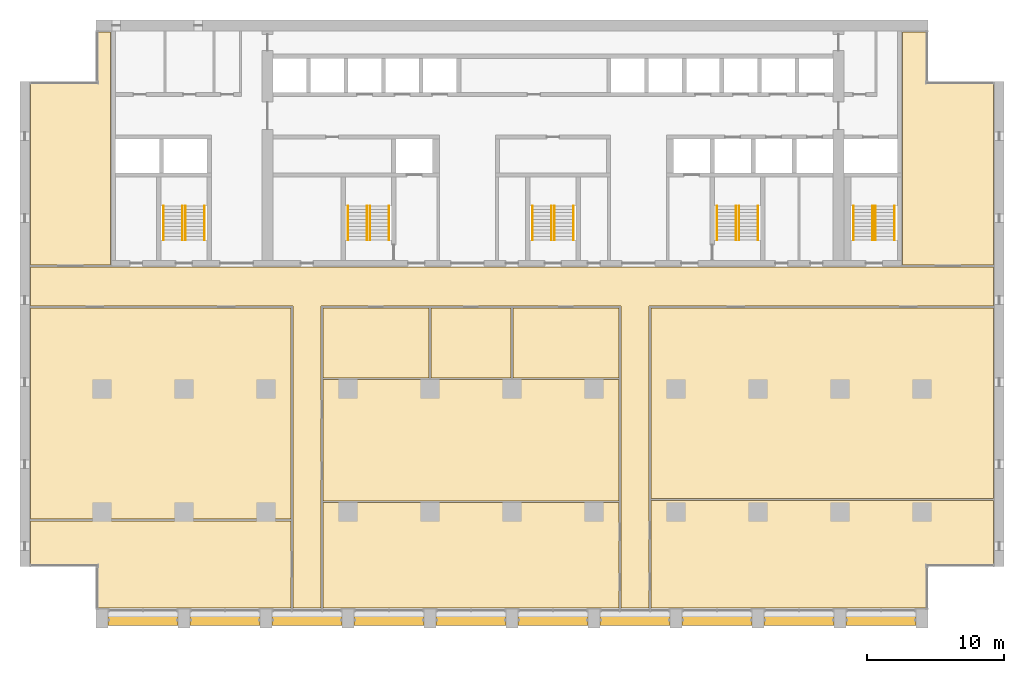
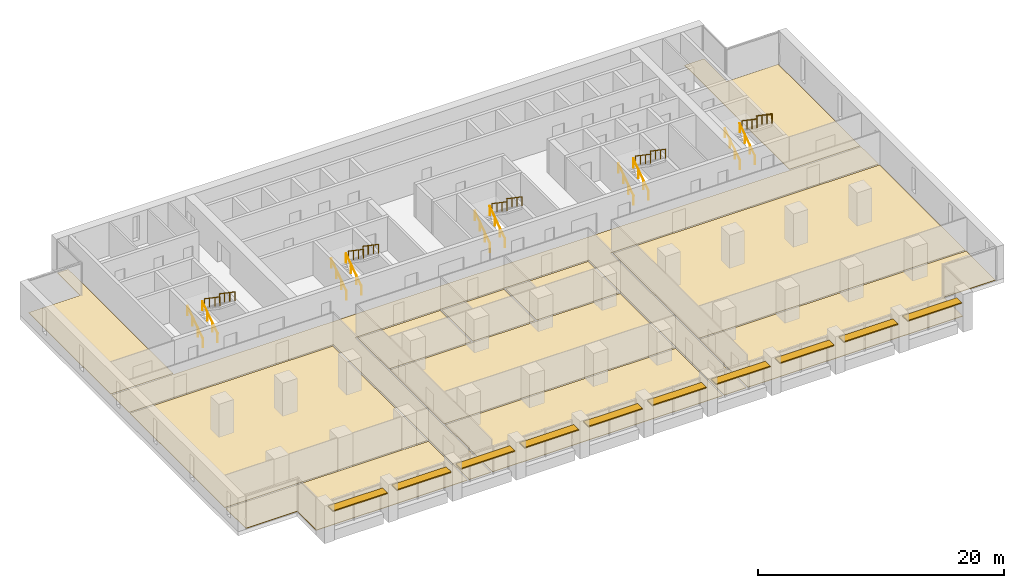
# One storey, part 15 of 15: 20 railings, 12 coverings, 10 shading devices, 5 elements without a shape of their own.
"""IFC4 building model written with IfcOpenShell, lengths in metres."""

import ifcopenshell
import ifcopenshell.guid

model = None  # the IFC model being written
_history = None  # IfcOwnerHistory: only IFC2X3 demands one
_inside = {}  # id of a spatial element -> (the spatial element, [elements in it])
_under = {}  # id of a project, library or spatial element -> (it, [spatial elements below it])
_declared = {}  # id of a project -> (the project, [libraries it declares])
_typed = {}  # id of a type object -> (the type object, [elements of that type])
_made_of = {}  # id of a material, layer set ... -> (it, [elements and type objects made of it])


def new_model(schema):
    """Start an empty IFC model of exactly this schema.

    Asked for "IFC4X3", IfcOpenShell would pick the latest addendum, in which some entities
    have other attributes; the version numbers below select the first issue.
    IFC2X3 requires an IfcOwnerHistory on every rooted entity: one is made here for all.
    """
    global model, _history
    if schema == "IFC4X3":
        model = ifcopenshell.file(schema_version=(4, 3, 0, 0))
    else:
        model = ifcopenshell.file(schema=schema)
    _inside.clear()
    _under.clear()
    _declared.clear()
    _typed.clear()
    _made_of.clear()
    _history = None
    if model.schema == "IFC2X3":
        org = make("IfcOrganization", Name="unknown")
        user = make(
            "IfcPersonAndOrganization",
            ThePerson=make("IfcPerson", FamilyName="unknown"),
            TheOrganization=org,
        )
        app = make(
            "IfcApplication",
            ApplicationDeveloper=org,
            Version="unknown",
            ApplicationFullName="unknown",
            ApplicationIdentifier="unknown",
        )
        _history = make(
            "IfcOwnerHistory",
            OwningUser=user,
            OwningApplication=app,
            ChangeAction="ADDED",
            CreationDate=0,
        )
    return model


def make(cls, **values):
    """One entity of the class cls with the attributes given. An attribute that is None is left unset."""
    return model.create_entity(
        cls, **{name: value for name, value in values.items() if value is not None}
    )


def rooted(cls, **values):
    """An entity with a GlobalId (a new one), such as an element, a storey or a relation."""
    return make(cls, GlobalId=ifcopenshell.guid.new(), OwnerHistory=_history, **values)


def si_unit(unit_type, name, prefix=None):
    """IfcSIUnit, for example si_unit("LENGTHUNIT", "METRE", prefix="MILLI")."""
    return make("IfcSIUnit", UnitType=unit_type, Prefix=prefix, Name=name)


def assignment(units):
    """IfcUnitAssignment: the units of a project."""
    return None if units is None else make("IfcUnitAssignment", Units=units)


def point(xyz):
    """IfcCartesianPoint."""
    return None if xyz is None else make("IfcCartesianPoint", Coordinates=xyz)


def direction(xyz):
    """IfcDirection."""
    return None if xyz is None else make("IfcDirection", DirectionRatios=xyz)


def frame(location, z_axis=None, x_axis=None):
    """IfcAxis2Placement3D, a coordinate frame: its origin and axes. An axis left out is left unset."""
    return make(
        "IfcAxis2Placement3D",
        Location=point(location),
        Axis=direction(z_axis),
        RefDirection=direction(x_axis),
    )


def frame_2d(location, x_axis=None):
    """IfcAxis2Placement2D, a coordinate frame in the plane: its origin and x axis."""
    return make(
        "IfcAxis2Placement2D", Location=point(location), RefDirection=direction(x_axis)
    )


def origin():
    """The frame at (0, 0, 0) with its axes left unset."""
    return frame((0.0, 0.0, 0.0))


def origin_2d():
    """The frame at (0, 0) in the plane with its x axis left unset."""
    return frame_2d((0.0, 0.0))


def place(relative_to, where):
    """IfcLocalPlacement: puts the frame where relative to a parent placement (None: the world)."""
    return make(
        "IfcLocalPlacement", PlacementRelTo=relative_to, RelativePlacement=where
    )


def context(
    kind, dimensions, precision=None, world=None, true_north=None, identifier=None
):
    """IfcGeometricRepresentationContext, for example the 3D "Model" context."""
    return make(
        "IfcGeometricRepresentationContext",
        ContextIdentifier=identifier,
        ContextType=kind,
        CoordinateSpaceDimension=dimensions,
        Precision=precision,
        WorldCoordinateSystem=world,
        TrueNorth=true_north,
    )


def subcontext(parent, identifier, kind, view, scale=None):
    """IfcGeometricRepresentationSubContext, for example "Body" below "Model"."""
    return make(
        "IfcGeometricRepresentationSubContext",
        ContextIdentifier=identifier,
        ContextType=kind,
        ParentContext=parent,
        TargetScale=scale,
        TargetView=view,
    )


def project(units=None, contexts=None):
    """IfcProject with its units and contexts."""
    return rooted(
        "IfcProject",
        Name="project",
        RepresentationContexts=contexts,
        UnitsInContext=assignment(units),
    )


def spatial(cls, under=None, at=None, **own):
    """A site, building, storey or space (cls), placed at a placement, below another one or the project."""
    s = rooted(cls, ObjectPlacement=at, **own)
    if under is not None:
        _under.setdefault(under.id(), (under, []))[1].append(s)
    return s


def polyline(points):
    """IfcPolyline through the points."""
    return make("IfcPolyline", Points=[point(p) for p in points])


def profile(cls, at=None, kind="AREA", **sizes):
    """A parametric profile (cls). Its sizes go by their IFC names, for example OverallWidth=200.0."""
    return make(cls, ProfileType=kind, Position=at, **sizes)


def rectangle(**sizes):
    """IfcRectangleProfileDef."""
    return profile("IfcRectangleProfileDef", **sizes)


def circle(**sizes):
    """IfcCircleProfileDef."""
    return profile("IfcCircleProfileDef", **sizes)


def outline(outer, holes=None, kind="AREA"):
    """IfcArbitraryClosedProfileDef: a profile drawn as a closed curve; with holes, ...WithVoids."""
    if holes is None:
        return make("IfcArbitraryClosedProfileDef", ProfileType=kind, OuterCurve=outer)
    return make(
        "IfcArbitraryProfileDefWithVoids",
        ProfileType=kind,
        OuterCurve=outer,
        InnerCurves=holes,
    )


def extrude(swept, where, along, depth):
    """IfcExtrudedAreaSolid: the profile swept, set in the frame where, extruded along a direction by depth."""
    return make(
        "IfcExtrudedAreaSolid",
        SweptArea=swept,
        Position=where,
        ExtrudedDirection=direction(along),
        Depth=depth,
    )


def shape(context_of_items, identifier, shape_type, items):
    """IfcShapeRepresentation: the items that make up one representation, for example the "Body"."""
    return make(
        "IfcShapeRepresentation",
        ContextOfItems=context_of_items,
        RepresentationIdentifier=identifier,
        RepresentationType=shape_type,
        Items=items,
    )


def material(Name=None, Category=None):
    """IfcMaterial."""
    return make("IfcMaterial", Name=Name, Category=Category)


def layer(
    of_material, thickness, ventilated=None, Name=None, Category=None, Priority=None
):
    """IfcMaterialLayer: one layer of a wall or slab, of a material (None: an air gap)."""
    return make(
        "IfcMaterialLayer",
        Material=of_material,
        LayerThickness=thickness,
        IsVentilated=ventilated,
        Name=Name,
        Category=Category,
        Priority=Priority,
    )


def layer_set(layers, Name=None):
    """IfcMaterialLayerSet."""
    return make("IfcMaterialLayerSet", MaterialLayers=layers, LayerSetName=Name)


def material_profile(
    of_material, cross_section, Name=None, Category=None, Priority=None
):
    """IfcMaterialProfile: a cross section and its material."""
    return make(
        "IfcMaterialProfile",
        Name=Name,
        Material=of_material,
        Profile=cross_section,
        Priority=Priority,
        Category=Category,
    )


def profile_set(profiles, Name=None, composite=None):
    """IfcMaterialProfileSet."""
    return make(
        "IfcMaterialProfileSet",
        Name=Name,
        MaterialProfiles=profiles,
        CompositeProfile=composite,
    )


def made_of(thing, what):
    """Note that an element or type object is made of a material, layer set ...; save() writes the relation."""
    if what is not None:
        _made_of.setdefault(what.id(), (what, []))[1].append(thing)
    return thing


def type_object(cls, material=None, **own):
    """A type object (cls), such as IfcWallType, which elements share."""
    return made_of(rooted(cls, **own), material)


def element(
    cls,
    number,
    at=None,
    inside=None,
    cuts=None,
    type_object=None,
    material=None,
    context=None,
    identifier="Body",
    shape_type=None,
    held_by="IfcProductDefinitionShape",
    body=None,
    shapes=None,
    **own,
):
    """One element of the class cls, such as IfcWall. Its Tag is "e" and its number.

    at: its placement. inside: the storey or other place that contains it. cuts: it is an
    opening in that element (IfcRelVoidsElement). A single representation is given by context,
    identifier, shape_type and body (its items); several are given by shapes. held_by: the class
    of the entity that holds the representations. save() writes the other relations.
    """
    e = rooted(cls, Tag="e%d" % number, ObjectPlacement=at, **own)
    if body is not None:
        shapes = [shape(context, identifier, shape_type, body)]
    if shapes is not None:
        e.Representation = make(held_by, Representations=shapes)
    if inside is not None:
        _inside.setdefault(inside.id(), (inside, []))[1].append(e)
    if cuts is not None:
        rooted(
            "IfcRelVoidsElement", RelatingBuildingElement=cuts, RelatedOpeningElement=e
        )
    if type_object is not None:
        _typed.setdefault(type_object.id(), (type_object, []))[1].append(e)
    return made_of(e, material)


def aggregate(whole, parts):
    """IfcRelAggregates: a whole, such as a stair, and the parts it consists of."""
    return rooted("IfcRelAggregates", RelatingObject=whole, RelatedObjects=parts)


def save(model, path):
    """Write the relations noted so far, then the file.

    IfcRelAggregates (storeys below a building ...), IfcRelContainedInSpatialStructure (elements
    in a storey), IfcRelDefinesByType, IfcRelAssociatesMaterial and IfcRelDeclares: one each for
    every whole, place, type object, material and project.
    """
    for whole, parts in _under.values():
        aggregate(whole, parts)
    for where, things in _inside.values():
        rooted(
            "IfcRelContainedInSpatialStructure",
            RelatedElements=things,
            RelatingStructure=where,
        )
    for kind, things in _typed.values():
        rooted("IfcRelDefinesByType", RelatedObjects=things, RelatingType=kind)
    for what, things in _made_of.values():
        rooted("IfcRelAssociatesMaterial", RelatedObjects=things, RelatingMaterial=what)
    for by, libraries in _declared.values():
        rooted("IfcRelDeclares", RelatingContext=by, RelatedDefinitions=libraries)
    model.write(path)


model = new_model("IFC4")

# Units and contexts
model_context = context("Model", 3, precision=1e-05, world=origin(), true_north=direction((0.0, 1.0)))
body_context = subcontext(model_context, "Body", "Model", "MODEL_VIEW")
ifc_project = project(units=[si_unit("LENGTHUNIT", "METRE"), si_unit("AREAUNIT", "SQUARE_METRE"), si_unit("VOLUMEUNIT", "CUBIC_METRE"), si_unit("PLANEANGLEUNIT", "RADIAN"), si_unit("MASSUNIT", "GRAM", prefix="KILO")], contexts=[model_context])

# Site, building, storey
site_placement = place(None, origin())
site = spatial("IfcSite", under=ifc_project, at=site_placement, CompositionType="ELEMENT")
building_placement = place(site_placement, origin())
building = spatial("IfcBuilding", under=site, at=building_placement, Name="Calvaro Tower", CompositionType="ELEMENT")
storey_placement = place(building_placement, frame((0.0, 0.0, 106.25)))
storey = spatial("IfcBuildingStorey", under=building, at=storey_placement, Name="L26", CompositionType="ELEMENT", Elevation=106.25)

# Shading devices
ifc_material_1 = material(Name="Anodised aluminium", Category="aluminium")
ifc_material_profile = material_profile(ifc_material_1, rectangle(XDim=0.800048828125, YDim=0.10009765625, at=origin_2d()), Name="Brise-soleil blade 800 x 100")
ifc_profile_set = profile_set([ifc_material_profile], Name="Anodised aluminium")
shading_device_type = type_object("IfcShadingDeviceType", Name="Brise-soleil blade 800 x 100", PredefinedType="JALOUSIE", material=ifc_profile_set)
for number, where, z_axis, x_axis, name in (
    (1, (6.449951171875, 2.10009765625, 2.39990234375), (1.0, 0.0, 0.0), (0.0, 1.0, 0.0), "Brise-soleil blade 1"),
    (2, (12.449951171875, 2.10009765625, 2.39990234375), (1.0, 0.0, 0.0), (0.0, 1.0, 0.0), "Brise-soleil blade 2"),
    (3, (18.449951171875, 2.10009765625, 2.39990234375), (1.0, 0.0, 0.0), (0.0, 1.0, 0.0), "Brise-soleil blade 3"),
    (4, (24.449951171875, 2.10009765625, 2.39990234375), (1.0, 0.0, 0.0), (0.0, 1.0, 0.0), "Brise-soleil blade 4"),
    (5, (30.449951171875, 2.10009765625, 2.39990234375), (1.0, 0.0, 0.0), (0.0, 1.0, 0.0), "Brise-soleil blade 5"),
    (6, (36.449951171875, 2.10009765625, 2.39990234375), (1.0, 0.0, 0.0), (0.0, 1.0, 0.0), "Brise-soleil blade 6"),
    (7, (42.449951171875, 2.10009765625, 2.39990234375), (1.0, 0.0, 0.0), (0.0, 1.0, 0.0), "Brise-soleil blade 7"),
    (8, (48.449951171875, 2.10009765625, 2.39990234375), (1.0, 0.0, 0.0), (0.0, 1.0, 0.0), "Brise-soleil blade 8"),
    (9, (54.449951171875, 2.10009765625, 2.39990234375), (1.0, 0.0, 0.0), (0.0, 1.0, 0.0), "Brise-soleil blade 9"),
    (10, (60.449951171875, 2.10009765625, 2.39990234375), (1.0, 0.0, 0.0), (0.0, 1.0, 0.0), "Brise-soleil blade 10"),
):
    element("IfcShadingDevice", number, at=place(storey_placement, frame(where, z_axis=z_axis, x_axis=x_axis)), inside=storey, type_object=shading_device_type, Name=name, PredefinedType="JALOUSIE", context=body_context, shape_type="SweptSolid", body=[
        extrude(rectangle(XDim=0.800048828125, YDim=0.10009765625, at=origin_2d()), origin(), (0.0, 0.0, 1.0), 5.10009765625),
    ])

# Coverings
ifc_material_2 = material(Name="Cement screed with carpet tile finish")
ifc_layer = layer(ifc_material_2, 0.050048828125)
ifc_layer_set = layer_set([ifc_layer], Name="Cement screed with carpet tile finish")
covering_type = type_object("IfcCoveringType", Name="Floor finish 50", PredefinedType="FLOORING", material=ifc_layer_set)
covering_1_placement = place(storey_placement, origin())
element("IfcCovering", 11, at=covering_1_placement, inside=storey, type_object=covering_type, Name="Floor finish 17.01", PredefinedType="FLOORING", context=body_context, shape_type="SweptSolid", body=[
    extrude(outline(polyline([(19.969970703125, 2.969970703125), (19.969970703125, 25.070068359375), (0.77001953125, 25.070068359375), (0.77001953125, 27.929931640625), (71.22998046875, 27.929931640625), (71.22998046875, 25.070068359375), (46.030029296875, 25.070068359375), (46.030029296875, 2.969970703125), (43.969970703125, 2.969970703125), (43.969970703125, 25.070068359375), (22.030029296875, 25.070068359375), (22.030029296875, 2.969970703125), (19.969970703125, 2.969970703125)])), origin(), (0.0, 0.0, 1.0), 0.050048828125),
])
covering_2_placement = place(storey_placement, origin())
element("IfcCovering", 12, at=covering_2_placement, inside=storey, type_object=covering_type, Name="Floor finish 17.02", PredefinedType="FLOORING", context=body_context, shape_type="SweptSolid", body=[
    extrude(outline(polyline([(19.830078125, 9.330078125), (19.830078125, 2.969970703125), (5.6201171875, 2.969970703125), (5.6201171875, 6.070068359375), (0.77001953125, 6.070068359375), (0.77001953125, 9.330078125), (19.830078125, 9.330078125)])), origin(), (0.0, 0.0, 1.0), 0.050048828125),
])
covering_3_placement = place(storey_placement, origin())
element("IfcCovering", 13, at=covering_3_placement, inside=storey, type_object=covering_type, Name="Floor finish 17.06", PredefinedType="FLOORING", context=body_context, shape_type="SweptSolid", body=[
    extrude(outline(polyline([(19.830078125, 24.929931640625), (19.830078125, 9.469970703125), (0.77001953125, 9.469970703125), (0.77001953125, 24.929931640625), (19.830078125, 24.929931640625)])), origin(), (0.0, 0.0, 1.0), 0.050048828125),
])
covering_4_placement = place(storey_placement, origin())
element("IfcCovering", 14, at=covering_4_placement, inside=storey, type_object=covering_type, Name="Floor finish 17.03", PredefinedType="FLOORING", context=body_context, shape_type="SweptSolid", body=[
    extrude(outline(polyline([(22.169921875, 10.679931640625), (43.830078125, 10.679931640625), (43.830078125, 2.969970703125), (22.169921875, 2.969970703125), (22.169921875, 10.679931640625)])), origin(), (0.0, 0.0, 1.0), 0.050048828125),
])
covering_5_placement = place(storey_placement, origin())
element("IfcCovering", 15, at=covering_5_placement, inside=storey, type_object=covering_type, Name="Floor finish 17.05", PredefinedType="FLOORING", context=body_context, shape_type="SweptSolid", body=[
    extrude(outline(polyline([(22.169921875, 10.820068359375), (22.169921875, 19.679931640625), (43.830078125, 19.679931640625), (43.830078125, 10.820068359375), (22.169921875, 10.820068359375)])), origin(), (0.0, 0.0, 1.0), 0.050048828125),
])
covering_6_placement = place(storey_placement, origin())
element("IfcCovering", 16, at=covering_6_placement, inside=storey, type_object=covering_type, Name="Floor finish 17.08", PredefinedType="FLOORING", context=body_context, shape_type="SweptSolid", body=[
    extrude(outline(polyline([(22.169921875, 19.820068359375), (22.169921875, 24.929931640625), (29.929931640625, 24.929931640625), (29.929931640625, 19.820068359375), (22.169921875, 19.820068359375)])), origin(), (0.0, 0.0, 1.0), 0.050048828125),
])
covering_7_placement = place(storey_placement, origin())
element("IfcCovering", 17, at=covering_7_placement, inside=storey, type_object=covering_type, Name="Floor finish 17.09", PredefinedType="FLOORING", context=body_context, shape_type="SweptSolid", body=[
    extrude(outline(polyline([(30.070068359375, 19.820068359375), (30.070068359375, 24.929931640625), (35.929931640625, 24.929931640625), (35.929931640625, 19.820068359375), (30.070068359375, 19.820068359375)])), origin(), (0.0, 0.0, 1.0), 0.050048828125),
])
covering_8_placement = place(storey_placement, origin())
element("IfcCovering", 18, at=covering_8_placement, inside=storey, type_object=covering_type, Name="Floor finish 17.10", PredefinedType="FLOORING", context=body_context, shape_type="SweptSolid", body=[
    extrude(outline(polyline([(36.070068359375, 19.820068359375), (36.070068359375, 24.929931640625), (43.830078125, 24.929931640625), (43.830078125, 19.820068359375), (36.070068359375, 19.820068359375)])), origin(), (0.0, 0.0, 1.0), 0.050048828125),
])
covering_9_placement = place(storey_placement, origin())
element("IfcCovering", 19, at=covering_9_placement, inside=storey, type_object=covering_type, Name="Floor finish 17.04", PredefinedType="FLOORING", context=body_context, shape_type="SweptSolid", body=[
    extrude(outline(polyline([(71.22998046875, 6.070068359375), (66.3798828125, 6.070068359375), (66.3798828125, 2.969970703125), (46.169921875, 2.969970703125), (46.169921875, 10.830078125), (71.22998046875, 10.830078125), (71.22998046875, 6.070068359375)])), origin(), (0.0, 0.0, 1.0), 0.050048828125),
])
covering_10_placement = place(storey_placement, origin())
element("IfcCovering", 20, at=covering_10_placement, inside=storey, type_object=covering_type, Name="Floor finish 17.07", PredefinedType="FLOORING", context=body_context, shape_type="SweptSolid", body=[
    extrude(outline(polyline([(71.22998046875, 10.969970703125), (46.169921875, 10.969970703125), (46.169921875, 24.929931640625), (71.22998046875, 24.929931640625), (71.22998046875, 10.969970703125)])), origin(), (0.0, 0.0, 1.0), 0.050048828125),
])
covering_11_placement = place(storey_placement, origin())
element("IfcCovering", 21, at=covering_11_placement, inside=storey, type_object=covering_type, Name="Floor finish 17.11", PredefinedType="FLOORING", context=body_context, shape_type="SweptSolid", body=[
    extrude(outline(polyline([(6.6298828125, 28.070068359375), (0.77001953125, 28.070068359375), (0.77001953125, 41.429931640625), (5.6201171875, 41.429931640625), (5.6201171875, 45.1298828125), (6.6298828125, 45.1298828125), (6.6298828125, 28.070068359375)])), origin(), (0.0, 0.0, 1.0), 0.050048828125),
])
covering_12_placement = place(storey_placement, origin())
element("IfcCovering", 22, at=covering_12_placement, inside=storey, type_object=covering_type, Name="Floor finish 17.12", PredefinedType="FLOORING", context=body_context, shape_type="SweptSolid", body=[
    extrude(outline(polyline([(71.22998046875, 28.070068359375), (64.570068359375, 28.070068359375), (64.570068359375, 45.1298828125), (66.3798828125, 45.1298828125), (66.3798828125, 41.429931640625), (71.22998046875, 41.429931640625), (71.22998046875, 28.070068359375)])), origin(), (0.0, 0.0, 1.0), 0.050048828125),
])

# Stair, railings
ifc_material_3 = material(Name="Concrete C40/50", Category="concrete")
stair_type = type_object("IfcStairType", Name="Exit stair 1400 2 flights", PredefinedType="HALF_TURN_STAIR", material=ifc_material_3)
stair_1_placement = place(storey_placement, origin())
stair_1 = element("IfcStair", 23, at=stair_1_placement, inside=storey, type_object=stair_type, Name="Exit stair S1", PredefinedType="HALF_TURN_STAIR")
ifc_material_4 = material(Name="Stainless steel", Category="steel")
railing_type = type_object("IfcRailingType", Name="Stair handrail", PredefinedType="HANDRAIL", material=ifc_material_4)
railing_1_placement = place(storey_placement, frame((11.89990234375, 29.89990234375, 0.17041015625)))
railing_1 = element("IfcRailing", 24, at=railing_1_placement, type_object=railing_type, Name="Exit stair 1 handrail", PredefinedType="HANDRAIL", context=body_context, shape_type="SweptSolid", body=[
    extrude(circle(Radius=0.02392578125, at=origin_2d()), frame((0.0, 0.0, 0.8759765625), z_axis=(0.0, 0.826220514629, 0.563346839174), x_axis=(-1.0, 0.0, 0.0)), (0.0, 0.0, 1.0), 3.02587890625),
    extrude(circle(Radius=0.02099609375, at=origin_2d()), frame((0.0, 0.017333984375, 0.01171875)), (0.0, 0.0, 1.0), 0.851806640625),
    extrude(circle(Radius=0.02099609375, at=origin_2d()), frame((0.0, 0.833251953125, 0.568115234375)), (0.0, 0.0, 1.0), 0.851806640625),
    extrude(circle(Radius=0.02099609375, at=origin_2d()), frame((0.0, 1.666748046875, 1.136474609375)), (0.0, 0.0, 1.0), 0.851806640625),
    extrude(circle(Radius=0.02099609375, at=origin_2d()), frame((0.0, 2.482666015625, 1.69287109375)), (0.0, 0.0, 1.0), 0.851806640625),
])
railing_2_placement = place(storey_placement, frame((10.5, 29.89990234375, 0.17041015625)))
railing_2 = element("IfcRailing", 25, at=railing_2_placement, type_object=railing_type, Name="Exit stair 1 handrail", PredefinedType="HANDRAIL", context=body_context, shape_type="SweptSolid", body=[
    extrude(circle(Radius=0.02392578125, at=origin_2d()), frame((0.0, 0.0, 0.8759765625), z_axis=(0.0, 0.826220514629, 0.563346839174), x_axis=(-1.0, 0.0, 0.0)), (0.0, 0.0, 1.0), 3.02587890625),
    extrude(circle(Radius=0.02099609375, at=origin_2d()), frame((0.0, 0.017333984375, 0.01171875)), (0.0, 0.0, 1.0), 0.851806640625),
    extrude(circle(Radius=0.02099609375, at=origin_2d()), frame((0.0, 0.833251953125, 0.568115234375)), (0.0, 0.0, 1.0), 0.851806640625),
    extrude(circle(Radius=0.02099609375, at=origin_2d()), frame((0.0, 1.666748046875, 1.136474609375)), (0.0, 0.0, 1.0), 0.851806640625),
    extrude(circle(Radius=0.02099609375, at=origin_2d()), frame((0.0, 2.482666015625, 1.69287109375)), (0.0, 0.0, 1.0), 0.851806640625),
])
railing_3_placement = place(storey_placement, frame((12.10009765625, 32.39990234375, 2.04541015625)))
railing_3 = element("IfcRailing", 26, at=railing_3_placement, type_object=railing_type, Name="Exit stair 1 handrail", PredefinedType="HANDRAIL", context=body_context, shape_type="SweptSolid", body=[
    extrude(circle(Radius=0.02392578125, at=origin_2d()), frame((0.0, 0.0, 0.8759765625), z_axis=(0.0, -0.826220514629, 0.563346839174), x_axis=(1.0, 0.0, 0.0)), (0.0, 0.0, 1.0), 3.02587890625),
    extrude(circle(Radius=0.02099609375, at=origin_2d()), frame((0.0, -0.017333984375, 0.01171875)), (0.0, 0.0, 1.0), 0.851806640625),
    extrude(circle(Radius=0.02099609375, at=origin_2d()), frame((0.0, -0.833251953125, 0.568115234375)), (0.0, 0.0, 1.0), 0.851806640625),
    extrude(circle(Radius=0.02099609375, at=origin_2d()), frame((0.0, -1.666748046875, 1.136474609375)), (0.0, 0.0, 1.0), 0.851806640625),
    extrude(circle(Radius=0.02099609375, at=origin_2d()), frame((0.0, -2.482666015625, 1.69287109375)), (0.0, 0.0, 1.0), 0.851806640625),
])
railing_4_placement = place(storey_placement, frame((13.5, 32.39990234375, 2.04541015625)))
railing_4 = element("IfcRailing", 27, at=railing_4_placement, type_object=railing_type, Name="Exit stair 1 handrail", PredefinedType="HANDRAIL", context=body_context, shape_type="SweptSolid", body=[
    extrude(circle(Radius=0.02392578125, at=origin_2d()), frame((0.0, 0.0, 0.8759765625), z_axis=(0.0, -0.826220514629, 0.563346839174), x_axis=(1.0, 0.0, 0.0)), (0.0, 0.0, 1.0), 3.02587890625),
    extrude(circle(Radius=0.02099609375, at=origin_2d()), frame((0.0, -0.017333984375, 0.01171875)), (0.0, 0.0, 1.0), 0.851806640625),
    extrude(circle(Radius=0.02099609375, at=origin_2d()), frame((0.0, -0.833251953125, 0.568115234375)), (0.0, 0.0, 1.0), 0.851806640625),
    extrude(circle(Radius=0.02099609375, at=origin_2d()), frame((0.0, -1.666748046875, 1.136474609375)), (0.0, 0.0, 1.0), 0.851806640625),
    extrude(circle(Radius=0.02099609375, at=origin_2d()), frame((0.0, -2.482666015625, 1.69287109375)), (0.0, 0.0, 1.0), 0.851806640625),
])
aggregate(stair_1, [railing_1, railing_2, railing_3, railing_4])

stair_2_placement = place(storey_placement, origin())
stair_2 = element("IfcStair", 28, at=stair_2_placement, inside=storey, type_object=stair_type, Name="Exit stair S2", PredefinedType="HALF_TURN_STAIR")
railing_5_placement = place(storey_placement, frame((25.39990234375, 29.89990234375, 0.17041015625)))
railing_5 = element("IfcRailing", 29, at=railing_5_placement, type_object=railing_type, Name="Exit stair 2 handrail", PredefinedType="HANDRAIL", context=body_context, shape_type="SweptSolid", body=[
    extrude(circle(Radius=0.02392578125, at=origin_2d()), frame((0.0, 0.0, 0.8759765625), z_axis=(0.0, 0.826220514629, 0.563346839174), x_axis=(-1.0, 0.0, 0.0)), (0.0, 0.0, 1.0), 3.02587890625),
    extrude(circle(Radius=0.02099609375, at=origin_2d()), frame((0.0, 0.017333984375, 0.01171875)), (0.0, 0.0, 1.0), 0.851806640625),
    extrude(circle(Radius=0.02099609375, at=origin_2d()), frame((0.0, 0.833251953125, 0.568115234375)), (0.0, 0.0, 1.0), 0.851806640625),
    extrude(circle(Radius=0.02099609375, at=origin_2d()), frame((0.0, 1.666748046875, 1.136474609375)), (0.0, 0.0, 1.0), 0.851806640625),
    extrude(circle(Radius=0.02099609375, at=origin_2d()), frame((0.0, 2.482666015625, 1.69287109375)), (0.0, 0.0, 1.0), 0.851806640625),
])
railing_6_placement = place(storey_placement, frame((24.0, 29.89990234375, 0.17041015625)))
railing_6 = element("IfcRailing", 30, at=railing_6_placement, type_object=railing_type, Name="Exit stair 2 handrail", PredefinedType="HANDRAIL", context=body_context, shape_type="SweptSolid", body=[
    extrude(circle(Radius=0.02392578125, at=origin_2d()), frame((0.0, 0.0, 0.8759765625), z_axis=(0.0, 0.826220514629, 0.563346839174), x_axis=(-1.0, 0.0, 0.0)), (0.0, 0.0, 1.0), 3.02587890625),
    extrude(circle(Radius=0.02099609375, at=origin_2d()), frame((0.0, 0.017333984375, 0.01171875)), (0.0, 0.0, 1.0), 0.851806640625),
    extrude(circle(Radius=0.02099609375, at=origin_2d()), frame((0.0, 0.833251953125, 0.568115234375)), (0.0, 0.0, 1.0), 0.851806640625),
    extrude(circle(Radius=0.02099609375, at=origin_2d()), frame((0.0, 1.666748046875, 1.136474609375)), (0.0, 0.0, 1.0), 0.851806640625),
    extrude(circle(Radius=0.02099609375, at=origin_2d()), frame((0.0, 2.482666015625, 1.69287109375)), (0.0, 0.0, 1.0), 0.851806640625),
])
railing_7_placement = place(storey_placement, frame((25.60009765625, 32.39990234375, 2.04541015625)))
railing_7 = element("IfcRailing", 31, at=railing_7_placement, type_object=railing_type, Name="Exit stair 2 handrail", PredefinedType="HANDRAIL", context=body_context, shape_type="SweptSolid", body=[
    extrude(circle(Radius=0.02392578125, at=origin_2d()), frame((0.0, 0.0, 0.8759765625), z_axis=(0.0, -0.826220514629, 0.563346839174), x_axis=(1.0, 0.0, 0.0)), (0.0, 0.0, 1.0), 3.02587890625),
    extrude(circle(Radius=0.02099609375, at=origin_2d()), frame((0.0, -0.017333984375, 0.01171875)), (0.0, 0.0, 1.0), 0.851806640625),
    extrude(circle(Radius=0.02099609375, at=origin_2d()), frame((0.0, -0.833251953125, 0.568115234375)), (0.0, 0.0, 1.0), 0.851806640625),
    extrude(circle(Radius=0.02099609375, at=origin_2d()), frame((0.0, -1.666748046875, 1.136474609375)), (0.0, 0.0, 1.0), 0.851806640625),
    extrude(circle(Radius=0.02099609375, at=origin_2d()), frame((0.0, -2.482666015625, 1.69287109375)), (0.0, 0.0, 1.0), 0.851806640625),
])
railing_8_placement = place(storey_placement, frame((27.0, 32.39990234375, 2.04541015625)))
railing_8 = element("IfcRailing", 32, at=railing_8_placement, type_object=railing_type, Name="Exit stair 2 handrail", PredefinedType="HANDRAIL", context=body_context, shape_type="SweptSolid", body=[
    extrude(circle(Radius=0.02392578125, at=origin_2d()), frame((0.0, 0.0, 0.8759765625), z_axis=(0.0, -0.826220514629, 0.563346839174), x_axis=(1.0, 0.0, 0.0)), (0.0, 0.0, 1.0), 3.02587890625),
    extrude(circle(Radius=0.02099609375, at=origin_2d()), frame((0.0, -0.017333984375, 0.01171875)), (0.0, 0.0, 1.0), 0.851806640625),
    extrude(circle(Radius=0.02099609375, at=origin_2d()), frame((0.0, -0.833251953125, 0.568115234375)), (0.0, 0.0, 1.0), 0.851806640625),
    extrude(circle(Radius=0.02099609375, at=origin_2d()), frame((0.0, -1.666748046875, 1.136474609375)), (0.0, 0.0, 1.0), 0.851806640625),
    extrude(circle(Radius=0.02099609375, at=origin_2d()), frame((0.0, -2.482666015625, 1.69287109375)), (0.0, 0.0, 1.0), 0.851806640625),
])
aggregate(stair_2, [railing_5, railing_6, railing_7, railing_8])

stair_3_placement = place(storey_placement, origin())
stair_3 = element("IfcStair", 33, at=stair_3_placement, inside=storey, type_object=stair_type, Name="Exit stair S3", PredefinedType="HALF_TURN_STAIR")
railing_9_placement = place(storey_placement, frame((38.89990234375, 29.89990234375, 0.17041015625)))
railing_9 = element("IfcRailing", 34, at=railing_9_placement, type_object=railing_type, Name="Exit stair 3 handrail", PredefinedType="HANDRAIL", context=body_context, shape_type="SweptSolid", body=[
    extrude(circle(Radius=0.02392578125, at=origin_2d()), frame((0.0, 0.0, 0.8759765625), z_axis=(0.0, 0.826220514629, 0.563346839174), x_axis=(-1.0, 0.0, 0.0)), (0.0, 0.0, 1.0), 3.02587890625),
    extrude(circle(Radius=0.02099609375, at=origin_2d()), frame((0.0, 0.017333984375, 0.01171875)), (0.0, 0.0, 1.0), 0.851806640625),
    extrude(circle(Radius=0.02099609375, at=origin_2d()), frame((0.0, 0.833251953125, 0.568115234375)), (0.0, 0.0, 1.0), 0.851806640625),
    extrude(circle(Radius=0.02099609375, at=origin_2d()), frame((0.0, 1.666748046875, 1.136474609375)), (0.0, 0.0, 1.0), 0.851806640625),
    extrude(circle(Radius=0.02099609375, at=origin_2d()), frame((0.0, 2.482666015625, 1.69287109375)), (0.0, 0.0, 1.0), 0.851806640625),
])
railing_10_placement = place(storey_placement, frame((37.5, 29.89990234375, 0.17041015625)))
railing_10 = element("IfcRailing", 35, at=railing_10_placement, type_object=railing_type, Name="Exit stair 3 handrail", PredefinedType="HANDRAIL", context=body_context, shape_type="SweptSolid", body=[
    extrude(circle(Radius=0.02392578125, at=origin_2d()), frame((0.0, 0.0, 0.8759765625), z_axis=(0.0, 0.826220514629, 0.563346839174), x_axis=(-1.0, 0.0, 0.0)), (0.0, 0.0, 1.0), 3.02587890625),
    extrude(circle(Radius=0.02099609375, at=origin_2d()), frame((0.0, 0.017333984375, 0.01171875)), (0.0, 0.0, 1.0), 0.851806640625),
    extrude(circle(Radius=0.02099609375, at=origin_2d()), frame((0.0, 0.833251953125, 0.568115234375)), (0.0, 0.0, 1.0), 0.851806640625),
    extrude(circle(Radius=0.02099609375, at=origin_2d()), frame((0.0, 1.666748046875, 1.136474609375)), (0.0, 0.0, 1.0), 0.851806640625),
    extrude(circle(Radius=0.02099609375, at=origin_2d()), frame((0.0, 2.482666015625, 1.69287109375)), (0.0, 0.0, 1.0), 0.851806640625),
])
railing_11_placement = place(storey_placement, frame((39.10009765625, 32.39990234375, 2.04541015625)))
railing_11 = element("IfcRailing", 36, at=railing_11_placement, type_object=railing_type, Name="Exit stair 3 handrail", PredefinedType="HANDRAIL", context=body_context, shape_type="SweptSolid", body=[
    extrude(circle(Radius=0.02392578125, at=origin_2d()), frame((0.0, 0.0, 0.8759765625), z_axis=(0.0, -0.826220514629, 0.563346839174), x_axis=(1.0, 0.0, 0.0)), (0.0, 0.0, 1.0), 3.02587890625),
    extrude(circle(Radius=0.02099609375, at=origin_2d()), frame((0.0, -0.017333984375, 0.01171875)), (0.0, 0.0, 1.0), 0.851806640625),
    extrude(circle(Radius=0.02099609375, at=origin_2d()), frame((0.0, -0.833251953125, 0.568115234375)), (0.0, 0.0, 1.0), 0.851806640625),
    extrude(circle(Radius=0.02099609375, at=origin_2d()), frame((0.0, -1.666748046875, 1.136474609375)), (0.0, 0.0, 1.0), 0.851806640625),
    extrude(circle(Radius=0.02099609375, at=origin_2d()), frame((0.0, -2.482666015625, 1.69287109375)), (0.0, 0.0, 1.0), 0.851806640625),
])
railing_12_placement = place(storey_placement, frame((40.5, 32.39990234375, 2.04541015625)))
railing_12 = element("IfcRailing", 37, at=railing_12_placement, type_object=railing_type, Name="Exit stair 3 handrail", PredefinedType="HANDRAIL", context=body_context, shape_type="SweptSolid", body=[
    extrude(circle(Radius=0.02392578125, at=origin_2d()), frame((0.0, 0.0, 0.8759765625), z_axis=(0.0, -0.826220514629, 0.563346839174), x_axis=(1.0, 0.0, 0.0)), (0.0, 0.0, 1.0), 3.02587890625),
    extrude(circle(Radius=0.02099609375, at=origin_2d()), frame((0.0, -0.017333984375, 0.01171875)), (0.0, 0.0, 1.0), 0.851806640625),
    extrude(circle(Radius=0.02099609375, at=origin_2d()), frame((0.0, -0.833251953125, 0.568115234375)), (0.0, 0.0, 1.0), 0.851806640625),
    extrude(circle(Radius=0.02099609375, at=origin_2d()), frame((0.0, -1.666748046875, 1.136474609375)), (0.0, 0.0, 1.0), 0.851806640625),
    extrude(circle(Radius=0.02099609375, at=origin_2d()), frame((0.0, -2.482666015625, 1.69287109375)), (0.0, 0.0, 1.0), 0.851806640625),
])
aggregate(stair_3, [railing_9, railing_10, railing_11, railing_12])

stair_4_placement = place(storey_placement, origin())
stair_4 = element("IfcStair", 38, at=stair_4_placement, inside=storey, type_object=stair_type, Name="Exit stair S4", PredefinedType="HALF_TURN_STAIR")
railing_13_placement = place(storey_placement, frame((52.39990234375, 29.89990234375, 0.17041015625)))
railing_13 = element("IfcRailing", 39, at=railing_13_placement, type_object=railing_type, Name="Exit stair 4 handrail", PredefinedType="HANDRAIL", context=body_context, shape_type="SweptSolid", body=[
    extrude(circle(Radius=0.02392578125, at=origin_2d()), frame((0.0, 0.0, 0.8759765625), z_axis=(0.0, 0.826220514629, 0.563346839174), x_axis=(-1.0, 0.0, 0.0)), (0.0, 0.0, 1.0), 3.02587890625),
    extrude(circle(Radius=0.02099609375, at=origin_2d()), frame((0.0, 0.017333984375, 0.01171875)), (0.0, 0.0, 1.0), 0.851806640625),
    extrude(circle(Radius=0.02099609375, at=origin_2d()), frame((0.0, 0.833251953125, 0.568115234375)), (0.0, 0.0, 1.0), 0.851806640625),
    extrude(circle(Radius=0.02099609375, at=origin_2d()), frame((0.0, 1.666748046875, 1.136474609375)), (0.0, 0.0, 1.0), 0.851806640625),
    extrude(circle(Radius=0.02099609375, at=origin_2d()), frame((0.0, 2.482666015625, 1.69287109375)), (0.0, 0.0, 1.0), 0.851806640625),
])
railing_14_placement = place(storey_placement, frame((51.0, 29.89990234375, 0.17041015625)))
railing_14 = element("IfcRailing", 40, at=railing_14_placement, type_object=railing_type, Name="Exit stair 4 handrail", PredefinedType="HANDRAIL", context=body_context, shape_type="SweptSolid", body=[
    extrude(circle(Radius=0.02392578125, at=origin_2d()), frame((0.0, 0.0, 0.8759765625), z_axis=(0.0, 0.826220514629, 0.563346839174), x_axis=(-1.0, 0.0, 0.0)), (0.0, 0.0, 1.0), 3.02587890625),
    extrude(circle(Radius=0.02099609375, at=origin_2d()), frame((0.0, 0.017333984375, 0.01171875)), (0.0, 0.0, 1.0), 0.851806640625),
    extrude(circle(Radius=0.02099609375, at=origin_2d()), frame((0.0, 0.833251953125, 0.568115234375)), (0.0, 0.0, 1.0), 0.851806640625),
    extrude(circle(Radius=0.02099609375, at=origin_2d()), frame((0.0, 1.666748046875, 1.136474609375)), (0.0, 0.0, 1.0), 0.851806640625),
    extrude(circle(Radius=0.02099609375, at=origin_2d()), frame((0.0, 2.482666015625, 1.69287109375)), (0.0, 0.0, 1.0), 0.851806640625),
])
railing_15_placement = place(storey_placement, frame((52.60009765625, 32.39990234375, 2.04541015625)))
railing_15 = element("IfcRailing", 41, at=railing_15_placement, type_object=railing_type, Name="Exit stair 4 handrail", PredefinedType="HANDRAIL", context=body_context, shape_type="SweptSolid", body=[
    extrude(circle(Radius=0.02392578125, at=origin_2d()), frame((0.0, 0.0, 0.8759765625), z_axis=(0.0, -0.826220514629, 0.563346839174), x_axis=(1.0, 0.0, 0.0)), (0.0, 0.0, 1.0), 3.02587890625),
    extrude(circle(Radius=0.02099609375, at=origin_2d()), frame((0.0, -0.017333984375, 0.01171875)), (0.0, 0.0, 1.0), 0.851806640625),
    extrude(circle(Radius=0.02099609375, at=origin_2d()), frame((0.0, -0.833251953125, 0.568115234375)), (0.0, 0.0, 1.0), 0.851806640625),
    extrude(circle(Radius=0.02099609375, at=origin_2d()), frame((0.0, -1.666748046875, 1.136474609375)), (0.0, 0.0, 1.0), 0.851806640625),
    extrude(circle(Radius=0.02099609375, at=origin_2d()), frame((0.0, -2.482666015625, 1.69287109375)), (0.0, 0.0, 1.0), 0.851806640625),
])
railing_16_placement = place(storey_placement, frame((54.0, 32.39990234375, 2.04541015625)))
railing_16 = element("IfcRailing", 42, at=railing_16_placement, type_object=railing_type, Name="Exit stair 4 handrail", PredefinedType="HANDRAIL", context=body_context, shape_type="SweptSolid", body=[
    extrude(circle(Radius=0.02392578125, at=origin_2d()), frame((0.0, 0.0, 0.8759765625), z_axis=(0.0, -0.826220514629, 0.563346839174), x_axis=(1.0, 0.0, 0.0)), (0.0, 0.0, 1.0), 3.02587890625),
    extrude(circle(Radius=0.02099609375, at=origin_2d()), frame((0.0, -0.017333984375, 0.01171875)), (0.0, 0.0, 1.0), 0.851806640625),
    extrude(circle(Radius=0.02099609375, at=origin_2d()), frame((0.0, -0.833251953125, 0.568115234375)), (0.0, 0.0, 1.0), 0.851806640625),
    extrude(circle(Radius=0.02099609375, at=origin_2d()), frame((0.0, -1.666748046875, 1.136474609375)), (0.0, 0.0, 1.0), 0.851806640625),
    extrude(circle(Radius=0.02099609375, at=origin_2d()), frame((0.0, -2.482666015625, 1.69287109375)), (0.0, 0.0, 1.0), 0.851806640625),
])
aggregate(stair_4, [railing_13, railing_14, railing_15, railing_16])

stair_5_placement = place(storey_placement, origin())
stair_5 = element("IfcStair", 43, at=stair_5_placement, inside=storey, type_object=stair_type, Name="Exit stair S5", PredefinedType="HALF_TURN_STAIR")
railing_17_placement = place(storey_placement, frame((62.39990234375, 29.89990234375, 0.17041015625)))
railing_17 = element("IfcRailing", 44, at=railing_17_placement, type_object=railing_type, Name="Exit stair 5 handrail", PredefinedType="HANDRAIL", context=body_context, shape_type="SweptSolid", body=[
    extrude(circle(Radius=0.02392578125, at=origin_2d()), frame((0.0, 0.0, 0.8759765625), z_axis=(0.0, 0.826220514629, 0.563346839174), x_axis=(-1.0, 0.0, 0.0)), (0.0, 0.0, 1.0), 3.02587890625),
    extrude(circle(Radius=0.02099609375, at=origin_2d()), frame((0.0, 0.017333984375, 0.01171875)), (0.0, 0.0, 1.0), 0.851806640625),
    extrude(circle(Radius=0.02099609375, at=origin_2d()), frame((0.0, 0.833251953125, 0.568115234375)), (0.0, 0.0, 1.0), 0.851806640625),
    extrude(circle(Radius=0.02099609375, at=origin_2d()), frame((0.0, 1.666748046875, 1.136474609375)), (0.0, 0.0, 1.0), 0.851806640625),
    extrude(circle(Radius=0.02099609375, at=origin_2d()), frame((0.0, 2.482666015625, 1.69287109375)), (0.0, 0.0, 1.0), 0.851806640625),
])
railing_18_placement = place(storey_placement, frame((61.0, 29.89990234375, 0.17041015625)))
railing_18 = element("IfcRailing", 45, at=railing_18_placement, type_object=railing_type, Name="Exit stair 5 handrail", PredefinedType="HANDRAIL", context=body_context, shape_type="SweptSolid", body=[
    extrude(circle(Radius=0.02392578125, at=origin_2d()), frame((0.0, 0.0, 0.8759765625), z_axis=(0.0, 0.826220514629, 0.563346839174), x_axis=(-1.0, 0.0, 0.0)), (0.0, 0.0, 1.0), 3.02587890625),
    extrude(circle(Radius=0.02099609375, at=origin_2d()), frame((0.0, 0.017333984375, 0.01171875)), (0.0, 0.0, 1.0), 0.851806640625),
    extrude(circle(Radius=0.02099609375, at=origin_2d()), frame((0.0, 0.833251953125, 0.568115234375)), (0.0, 0.0, 1.0), 0.851806640625),
    extrude(circle(Radius=0.02099609375, at=origin_2d()), frame((0.0, 1.666748046875, 1.136474609375)), (0.0, 0.0, 1.0), 0.851806640625),
    extrude(circle(Radius=0.02099609375, at=origin_2d()), frame((0.0, 2.482666015625, 1.69287109375)), (0.0, 0.0, 1.0), 0.851806640625),
])
railing_19_placement = place(storey_placement, frame((62.60009765625, 32.39990234375, 2.04541015625)))
railing_19 = element("IfcRailing", 46, at=railing_19_placement, type_object=railing_type, Name="Exit stair 5 handrail", PredefinedType="HANDRAIL", context=body_context, shape_type="SweptSolid", body=[
    extrude(circle(Radius=0.02392578125, at=origin_2d()), frame((0.0, 0.0, 0.8759765625), z_axis=(0.0, -0.826220514629, 0.563346839174), x_axis=(1.0, 0.0, 0.0)), (0.0, 0.0, 1.0), 3.02587890625),
    extrude(circle(Radius=0.02099609375, at=origin_2d()), frame((0.0, -0.017333984375, 0.01171875)), (0.0, 0.0, 1.0), 0.851806640625),
    extrude(circle(Radius=0.02099609375, at=origin_2d()), frame((0.0, -0.833251953125, 0.568115234375)), (0.0, 0.0, 1.0), 0.851806640625),
    extrude(circle(Radius=0.02099609375, at=origin_2d()), frame((0.0, -1.666748046875, 1.136474609375)), (0.0, 0.0, 1.0), 0.851806640625),
    extrude(circle(Radius=0.02099609375, at=origin_2d()), frame((0.0, -2.482666015625, 1.69287109375)), (0.0, 0.0, 1.0), 0.851806640625),
])
railing_20_placement = place(storey_placement, frame((64.0, 32.39990234375, 2.04541015625)))
railing_20 = element("IfcRailing", 47, at=railing_20_placement, type_object=railing_type, Name="Exit stair 5 handrail", PredefinedType="HANDRAIL", context=body_context, shape_type="SweptSolid", body=[
    extrude(circle(Radius=0.02392578125, at=origin_2d()), frame((0.0, 0.0, 0.8759765625), z_axis=(0.0, -0.826220514629, 0.563346839174), x_axis=(1.0, 0.0, 0.0)), (0.0, 0.0, 1.0), 3.02587890625),
    extrude(circle(Radius=0.02099609375, at=origin_2d()), frame((0.0, -0.017333984375, 0.01171875)), (0.0, 0.0, 1.0), 0.851806640625),
    extrude(circle(Radius=0.02099609375, at=origin_2d()), frame((0.0, -0.833251953125, 0.568115234375)), (0.0, 0.0, 1.0), 0.851806640625),
    extrude(circle(Radius=0.02099609375, at=origin_2d()), frame((0.0, -1.666748046875, 1.136474609375)), (0.0, 0.0, 1.0), 0.851806640625),
    extrude(circle(Radius=0.02099609375, at=origin_2d()), frame((0.0, -2.482666015625, 1.69287109375)), (0.0, 0.0, 1.0), 0.851806640625),
])
aggregate(stair_5, [railing_17, railing_18, railing_19, railing_20])

save(model, "model.ifc")
